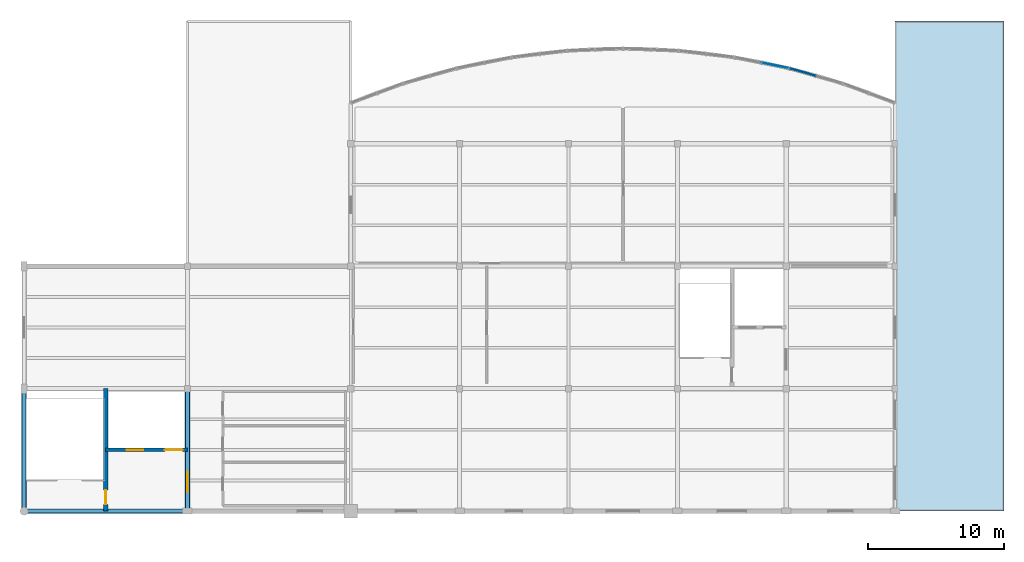
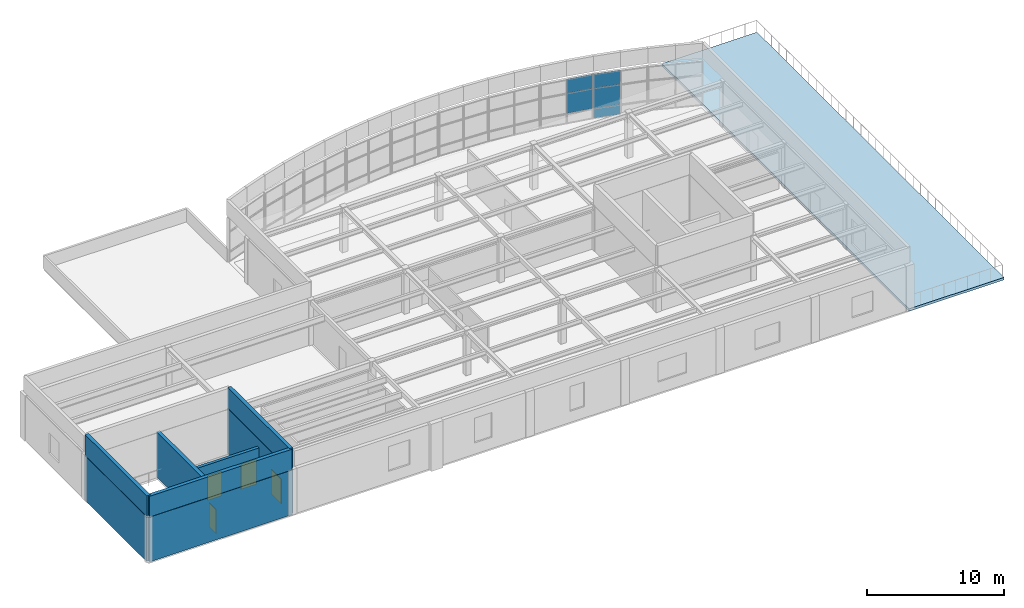
# One storey, part 6 of 9: 8 walls, 5 plates, 4 doors, 1 slab, 4 openings, 2 elements without a shape of their own.
"""IFC4 building model written with IfcOpenShell, lengths in metres."""

from ifc_helpers import new_model, si_unit, direction, frame, frame_2d, origin, origin_2d, place, context, subcontext, project, spatial, polyline, rectangle, outline, extrude, material, layer, layer_set, type_object, element, fill, aggregate, save


model = new_model("IFC4")

# Units and contexts
model_context = context("Model", 3, precision=1e-05, world=origin(), true_north=direction((0.0, 1.0)))
body_context = subcontext(model_context, "Body", "Model", "MODEL_VIEW")
ifc_project = project(units=[si_unit("LENGTHUNIT", "METRE"), si_unit("AREAUNIT", "SQUARE_METRE"), si_unit("VOLUMEUNIT", "CUBIC_METRE"), si_unit("PLANEANGLEUNIT", "RADIAN"), si_unit("MASSUNIT", "GRAM", prefix="KILO")], contexts=[model_context])

# Site, building, storey
site_placement = place(None, origin())
site = spatial("IfcSite", under=ifc_project, at=site_placement, CompositionType="ELEMENT")
building_placement = place(site_placement, origin())
building = spatial("IfcBuilding", under=site, at=building_placement, Name="Keelwater Ferry Terminal", CompositionType="ELEMENT")
storey_placement = place(building_placement, frame((0.0, 0.0, 23.699951171875)))
storey = spatial("IfcBuildingStorey", under=building, at=storey_placement, Name="L05", CompositionType="ELEMENT", Elevation=23.699951171875)

# Curtain wall, plates
ifc_material_1 = material(Name="Thermally broken unitised aluminium and triple glass", Category="aluminium")
ifc_layer_1 = layer(ifc_material_1, 0.179931640625)
ifc_layer_set_1 = layer_set([ifc_layer_1], Name="Thermally broken unitised aluminium and triple glass")
curtain_wall_type = type_object("IfcCurtainWallType", Name="CW-24 Unitised Curtain Wall 4015x3900", PredefinedType="USERDEFINED", material=ifc_layer_set_1)
curtain_wall_1_placement = place(storey_placement, origin())
curtain_wall_1 = element("IfcCurtainWall", 1, at=curtain_wall_1_placement, inside=storey, type_object=curtain_wall_type, Name="Unitised Curtain Wall CW-L05-224", ObjectType="UNITISED CURTAIN WALL", PredefinedType="USERDEFINED")
ifc_material_2 = material(Name="Insulated terracotta shadow-box spandrel", Category="masonry")
ifc_layer_2 = layer(ifc_material_2, 0.110107421875)
ifc_layer_set_2 = layer_set([ifc_layer_2], Name="Insulated terracotta shadow-box spandrel")
plate_type_1 = type_object("IfcPlateType", Name="CWP-S3 Insulated Spandrel Panel 110", PredefinedType="CURTAIN_PANEL", material=ifc_layer_set_2)
plate_1_placement = place(storey_placement, frame((165.211669921875, 122.261962890625, 0.0), z_axis=(0.0, 0.0, 1.0), x_axis=(-0.962029778706, 0.272944508797, 0.0)))
plate_1 = element("IfcPlate", 2, at=plate_1_placement, type_object=plate_type_1, Name="CW-L05-224 Panel 2.1", PredefinedType="CURTAIN_PANEL", context=body_context, shape_type="SweptSolid", body=[
    extrude(rectangle(XDim=2.0078125, YDim=0.110107421875, at=origin_2d()), origin(), (0.0, 0.0, 1.0), 0.85009765625),
])
ifc_material_3 = material(Name="Triple low-E laminated glass", Category="glass")
ifc_layer_3 = layer(ifc_material_3, 0.035888671875)
ifc_layer_set_3 = layer_set([ifc_layer_3], Name="Triple low-E laminated glass")
plate_type_2 = type_object("IfcPlateType", Name="CWP-V1 Glazed Vision Panel 36", PredefinedType="CURTAIN_PANEL", material=ifc_layer_set_3)
plate_2_placement = place(storey_placement, frame((165.211669921875, 122.261962890625, 0.85009765625), z_axis=(0.0, 0.0, 1.0), x_axis=(-0.962029778706, 0.272944508797, 0.0)))
plate_2 = element("IfcPlate", 3, at=plate_2_placement, type_object=plate_type_2, Name="CW-L05-224 Panel 2.2", PredefinedType="CURTAIN_PANEL", context=body_context, shape_type="SweptSolid", body=[
    extrude(rectangle(XDim=2.0078125, YDim=0.035888671875, at=origin_2d()), origin(), (0.0, 0.0, 1.0), 1.800048828125),
])
plate_3_placement = place(storey_placement, frame((165.211669921875, 122.261962890625, 2.650146484375), z_axis=(0.0, 0.0, 1.0), x_axis=(-0.962029778706, 0.272944508797, 0.0)))
plate_3 = element("IfcPlate", 4, at=plate_3_placement, type_object=plate_type_2, Name="CW-L05-224 Panel 2.3", PredefinedType="CURTAIN_PANEL", context=body_context, shape_type="SweptSolid", body=[
    extrude(rectangle(XDim=2.0078125, YDim=0.035888671875, at=origin_2d()), origin(), (0.0, 0.0, 1.0), 1.25),
])
aggregate(curtain_wall_1, [plate_1, plate_2, plate_3])

curtain_wall_2_placement = place(storey_placement, origin())
curtain_wall_2 = element("IfcCurtainWall", 5, at=curtain_wall_2_placement, inside=storey, type_object=curtain_wall_type, Name="Unitised Curtain Wall CW-L05-225", ObjectType="UNITISED CURTAIN WALL", PredefinedType="USERDEFINED")
plate_4_placement = place(storey_placement, frame((163.1748046875, 122.753662109375, 0.85009765625), z_axis=(0.0, 0.0, 1.0), x_axis=(-0.98059983046, 0.196020336958, 0.0)))
plate_4 = element("IfcPlate", 6, at=plate_4_placement, type_object=plate_type_2, Name="CW-L05-225 Panel 1.2", PredefinedType="CURTAIN_PANEL", context=body_context, shape_type="SweptSolid", body=[
    extrude(rectangle(XDim=2.00732421875, YDim=0.035888671875, at=origin_2d()), origin(), (0.0, 0.0, 1.0), 1.800048828125),
])
plate_5_placement = place(storey_placement, frame((163.1748046875, 122.753662109375, 2.650146484375), z_axis=(0.0, 0.0, 1.0), x_axis=(-0.98059983046, 0.196020336958, 0.0)))
plate_5 = element("IfcPlate", 7, at=plate_5_placement, type_object=plate_type_2, Name="CW-L05-225 Panel 1.3", PredefinedType="CURTAIN_PANEL", context=body_context, shape_type="SweptSolid", body=[
    extrude(rectangle(XDim=2.00732421875, YDim=0.035888671875, at=origin_2d()), origin(), (0.0, 0.0, 1.0), 1.25),
])
aggregate(curtain_wall_2, [plate_4, plate_5])

# Slab
ifc_material_4 = material(Name="Concrete C40/50", Category="concrete")
ifc_layer_4 = layer(ifc_material_4, 0.219970703125)
ifc_layer_set_4 = layer_set([ifc_layer_4], Name="Concrete C40/50")
slab_type = type_object("IfcSlabType", Name="SL-EX220 Outdoor Suspended Floor Slab 220", PredefinedType="FLOOR", material=ifc_layer_set_4)
slab_placement = place(storey_placement, frame((0.0, 0.0, -0.219970703125)))
element("IfcSlab", 8, at=slab_placement, inside=storey, type_object=slab_type, Name="L05 Harbour Observation Deck SL-L05-056", PredefinedType="FLOOR", context=body_context, shape_type="SweptSolid", body=[
    extrude(outline(polyline([(172.0, 90.0), (180.0, 90.0), (180.0, 126.0), (172.0, 126.0), (172.0, 90.0)])), origin(), (0.0, 0.0, 1.0), 0.219970703125),
])

# Wall, openings, doors
ifc_material_5 = material(Name="Concrete C40/50", Category="concrete")
ifc_layer_5 = layer(ifc_material_5, 0.25)
ifc_layer_set_5 = layer_set([ifc_layer_5], Name="Concrete C40/50")
wall_type_1 = type_object("IfcWallType", Name="IW-250 Solid Wall 250", PredefinedType="SOLIDWALL", material=ifc_layer_set_5)
wall_1_placement = place(storey_placement, frame((120.0, 94.5, 0.0), z_axis=(0.0, 0.0, 1.0), x_axis=(-1.0, 0.0, 0.0)))
wall_1 = element("IfcWall", 9, at=wall_1_placement, inside=storey, type_object=wall_type_1, Name="Interior Wall WL-INT-L05-0054", PredefinedType="SOLIDWALL", context=body_context, shape_type="SweptSolid", body=[
    extrude(rectangle(XDim=6.0, YDim=0.25, at=frame_2d((3.0, 0.0))), origin(), (0.0, 0.0, 1.0), 3.25),
])
opening_1_placement = place(wall_1_placement, frame((0.35009765625, 0.0, 0.0)))
opening_1 = element("IfcOpeningElement", 10, at=opening_1_placement, cuts=wall_1, Name="Opening LD-017", PredefinedType="OPENING", context=body_context, shape_type="SweptSolid", body=[
    extrude(rectangle(XDim=1.300048828125, YDim=2.25, at=frame_2d((0.64990234375, 1.125))), frame((0.0, 0.135009765625, 0.0), z_axis=(0.0, -1.0, 0.0), x_axis=(1.0, 0.0, 0.0)), (0.0, 0.0, 1.0), 0.27001953125),
])
opening_2_placement = place(wall_1_placement, frame((3.25, 0.0, 0.0)))
opening_2 = element("IfcOpeningElement", 11, at=opening_2_placement, cuts=wall_1, Name="Opening LD-018", PredefinedType="OPENING", context=body_context, shape_type="SweptSolid", body=[
    extrude(rectangle(XDim=1.199951171875, YDim=2.199951171875, at=frame_2d((0.60009765625, 1.10009765625))), frame((0.0, 0.135009765625, 0.0), z_axis=(0.0, -1.0, 0.0), x_axis=(1.0, 0.0, 0.0)), (0.0, 0.0, 1.0), 0.27001953125),
])
ifc_material_6 = material(Name="Stainless steel sliding landing doors", Category="steel")
door_type_1 = type_object("IfcDoorType", Name="LD-T2 Lift Landing Door 1200x2200", OperationType="DOUBLE_DOOR_SLIDING", PredefinedType="USERDEFINED", material=ifc_material_6)
door_1_placement = place(opening_2_placement, origin())
door_1 = element("IfcDoor", 12, at=door_1_placement, inside=storey, type_object=door_type_1, Name="Door LD-018", ObjectType="LANDING DOOR", OperationType="DOUBLE_DOOR_SLIDING", OverallHeight=2.199951171875, OverallWidth=1.199951171875, PredefinedType="USERDEFINED", context=body_context, shape_type="SweptSolid", body=[
    extrude(rectangle(XDim=1.199951171875, YDim=2.199951171875, at=frame_2d((0.60009765625, 1.10009765625))), frame((0.0, 0.02490234375, 0.0), z_axis=(0.0, -1.0, 0.0), x_axis=(1.0, 0.0, 0.0)), (0.0, 0.0, 1.0), 0.050048828125),
])
fill(opening_2, door_1)
ifc_material_7 = material(Name="Stainless steel sliding landing doors", Category="steel")
door_type_2 = type_object("IfcDoorType", Name="LD-T3 Lift Landing Door 1300x2250", OperationType="DOUBLE_DOOR_SLIDING", PredefinedType="USERDEFINED", material=ifc_material_7)
door_2_placement = place(opening_1_placement, origin())
door_2 = element("IfcDoor", 13, at=door_2_placement, inside=storey, type_object=door_type_2, Name="Door LD-017", ObjectType="LANDING DOOR", OperationType="DOUBLE_DOOR_SLIDING", OverallHeight=2.25, OverallWidth=1.300048828125, PredefinedType="USERDEFINED", context=body_context, shape_type="SweptSolid", body=[
    extrude(rectangle(XDim=1.300048828125, YDim=2.25, at=frame_2d((0.64990234375, 1.125))), frame((0.0, 0.02490234375, 0.0), z_axis=(0.0, -1.0, 0.0), x_axis=(1.0, 0.0, 0.0)), (0.0, 0.0, 1.0), 0.050048828125),
])
fill(opening_1, door_2)

# Wall, opening, door
ifc_material_8 = material(Name="Concrete C45/55", Category="concrete")
ifc_layer_6 = layer(ifc_material_8, 0.300048828125)
ifc_layer_set_6 = layer_set([ifc_layer_6], Name="Concrete C45/55")
wall_type_2 = type_object("IfcWallType", Name="SW-300 Shear Wall 300", PredefinedType="SHEAR", material=ifc_layer_set_6)
wall_2_placement = place(storey_placement, frame((114.0, 99.0, 0.0), z_axis=(0.0, 0.0, 1.0), x_axis=(0.0, -1.0, 0.0)))
wall_2 = element("IfcWall", 14, at=wall_2_placement, inside=storey, type_object=wall_type_2, Name="Interior Wall WL-INT-L05-0053", PredefinedType="SHEAR", context=body_context, shape_type="SweptSolid", body=[
    extrude(rectangle(XDim=9.0, YDim=0.300048828125, at=frame_2d((4.5, 0.0))), origin(), (0.0, 0.0, 1.0), 3.97998046875),
])
opening_3_placement = place(wall_2_placement, frame((7.449951171875, 0.0, 0.0)))
opening_3 = element("IfcOpeningElement", 15, at=opening_3_placement, cuts=wall_2, Name="Opening FD-017", PredefinedType="OPENING", context=body_context, shape_type="SweptSolid", body=[
    extrude(rectangle(XDim=1.050048828125, YDim=2.14990234375, at=frame_2d((0.52490234375, 1.074951171875))), frame((0.0, 0.159912109375, 0.0), z_axis=(0.0, -1.0, 0.0), x_axis=(1.0, 0.0, 0.0)), (0.0, 0.0, 1.0), 0.320068359375),
])
ifc_material_9 = material(Name="Acoustic oak and fire-rated steel frame door", Category="steel")
door_type_3 = type_object("IfcDoorType", Name="ID-06 Pedestrian Door 1050x2150", OperationType="NOTDEFINED", PredefinedType="DOOR", material=ifc_material_9)
door_3_placement = place(opening_3_placement, origin())
door_3 = element("IfcDoor", 16, at=door_3_placement, inside=storey, type_object=door_type_3, Name="Door FD-017", OperationType="SINGLE_SWING_LEFT", OverallHeight=2.14990234375, OverallWidth=1.050048828125, PredefinedType="DOOR", context=body_context, shape_type="SweptSolid", body=[
    extrude(rectangle(XDim=1.050048828125, YDim=2.14990234375, at=frame_2d((0.52490234375, 1.074951171875))), frame((0.0, 0.02490234375, 0.0), z_axis=(0.0, -1.0, 0.0), x_axis=(1.0, 0.0, 0.0)), (0.0, 0.0, 1.0), 0.050048828125),
])
fill(opening_3, door_3)

# Walls
wall_3_placement = place(storey_placement, frame((108.0, 90.0, 3.97998046875), z_axis=(0.0, 0.0, 1.0), x_axis=(1.0, 0.0, 0.0)))
element("IfcWall", 17, at=wall_3_placement, inside=storey, type_object=wall_type_2, Name="Interior Wall WL-INT-L05-0115", PredefinedType="SHEAR", context=body_context, shape_type="SweptSolid", body=[
    extrude(rectangle(XDim=12.0, YDim=0.300048828125, at=frame_2d((6.0, 0.0))), origin(), (0.0, 0.0, 1.0), 1.840087890625),
])
for number, where, z_axis, x_axis, name in (
    (18, (108.0, 90.0, 3.97998046875), (0.0, 0.0, 1.0), (0.0, 1.0, 0.0), "Interior Wall WL-INT-L05-0117"),
    (19, (120.0, 90.0, 3.97998046875), (0.0, 0.0, 1.0), (0.0, 1.0, 0.0), "Interior Wall WL-INT-L05-0118"),
):
    element("IfcWall", number, at=place(storey_placement, frame(where, z_axis=z_axis, x_axis=x_axis)), inside=storey, type_object=wall_type_2, Name=name, PredefinedType="SHEAR", context=body_context, shape_type="SweptSolid", body=[
        extrude(rectangle(XDim=9.0, YDim=0.300048828125, at=frame_2d((4.5, 0.0))), origin(), (0.0, 0.0, 1.0), 1.840087890625),
    ])
ifc_material_10 = material(Name="Concrete C45/55", Category="concrete")
ifc_layer_7 = layer(ifc_material_10, 0.35009765625)
ifc_layer_set_7 = layer_set([ifc_layer_7], Name="Concrete C45/55")
wall_type_3 = type_object("IfcWallType", Name="SW-350 Shear Wall 350", PredefinedType="SHEAR", material=ifc_layer_set_7)
wall_4_placement = place(storey_placement, frame((108.0, 90.0, 0.0), z_axis=(0.0, 0.0, 1.0), x_axis=(1.0, 0.0, 0.0)))
element("IfcWall", 20, at=wall_4_placement, inside=storey, type_object=wall_type_3, Name="Interior Wall WL-INT-L05-0049", PredefinedType="SHEAR", context=body_context, shape_type="SweptSolid", body=[
    extrude(rectangle(XDim=12.0, YDim=0.35009765625, at=frame_2d((6.0, 0.0))), origin(), (0.0, 0.0, 1.0), 3.97998046875),
])
wall_5_placement = place(storey_placement, frame((108.0, 90.0, 0.0), z_axis=(0.0, 0.0, 1.0), x_axis=(0.0, 1.0, 0.0)))
element("IfcWall", 21, at=wall_5_placement, inside=storey, type_object=wall_type_3, Name="Interior Wall WL-INT-L05-0051", PredefinedType="SHEAR", context=body_context, shape_type="SweptSolid", body=[
    extrude(rectangle(XDim=9.0, YDim=0.35009765625, at=frame_2d((4.5, 0.0))), origin(), (0.0, 0.0, 1.0), 3.97998046875),
])

# Wall, opening, door
wall_6_placement = place(storey_placement, frame((120.0, 90.0, 0.0), z_axis=(0.0, 0.0, 1.0), x_axis=(0.0, 1.0, 0.0)))
wall_6 = element("IfcWall", 22, at=wall_6_placement, inside=storey, type_object=wall_type_3, Name="Interior Wall WL-INT-L05-0052", PredefinedType="SHEAR", context=body_context, shape_type="SweptSolid", body=[
    extrude(rectangle(XDim=9.0, YDim=0.35009765625, at=frame_2d((4.5, 0.0))), origin(), (0.0, 0.0, 1.0), 3.97998046875),
])
opening_4_placement = place(wall_6_placement, frame((1.39990234375, 0.0, 0.0)))
opening_4 = element("IfcOpeningElement", 23, at=opening_4_placement, cuts=wall_6, Name="Opening FD-018", PredefinedType="OPENING", context=body_context, shape_type="SweptSolid", body=[
    extrude(rectangle(XDim=1.5, YDim=2.199951171875, at=frame_2d((0.75, 1.10009765625))), frame((0.0, 0.18505859375, 0.0), z_axis=(0.0, -1.0, 0.0), x_axis=(1.0, 0.0, 0.0)), (0.0, 0.0, 1.0), 0.3701171875),
])
ifc_material_11 = material(Name="Acoustic oak and fire-rated steel frame door", Category="steel")
door_type_4 = type_object("IfcDoorType", Name="ID-02 Pedestrian Door 1500x2200", OperationType="DOUBLE_DOOR_SINGLE_SWING", PredefinedType="DOOR", material=ifc_material_11)
door_4_placement = place(opening_4_placement, origin())
door_4 = element("IfcDoor", 24, at=door_4_placement, inside=storey, type_object=door_type_4, Name="Door FD-018", OperationType="DOUBLE_DOOR_SINGLE_SWING", OverallHeight=2.199951171875, OverallWidth=1.5, PredefinedType="DOOR", context=body_context, shape_type="SweptSolid", body=[
    extrude(rectangle(XDim=1.5, YDim=2.199951171875, at=frame_2d((0.75, 1.10009765625))), frame((0.0, 0.02490234375, 0.0), z_axis=(0.0, -1.0, 0.0), x_axis=(1.0, 0.0, 0.0)), (0.0, 0.0, 1.0), 0.050048828125),
])
fill(opening_4, door_4)

save(model, "model.ifc")
